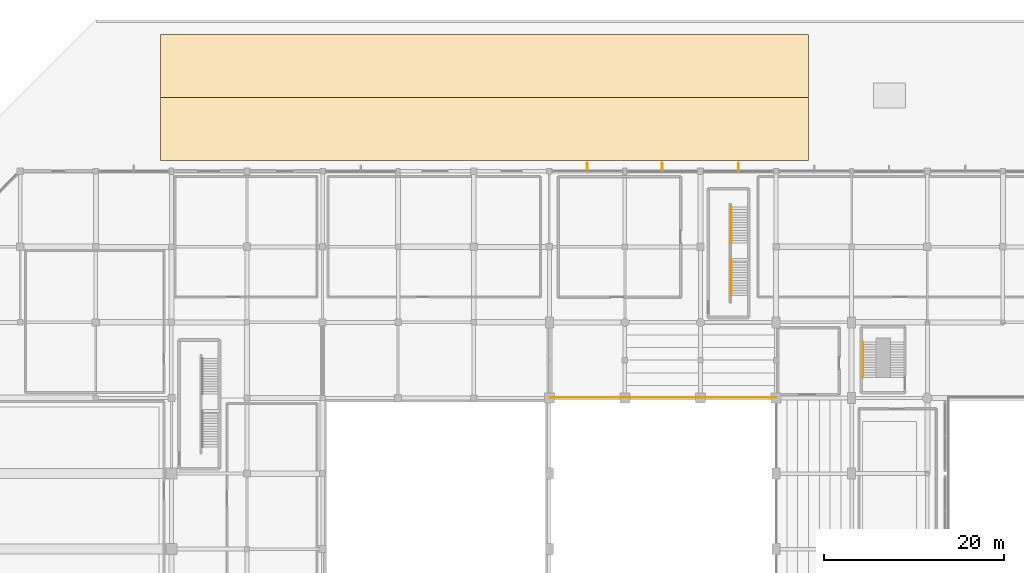
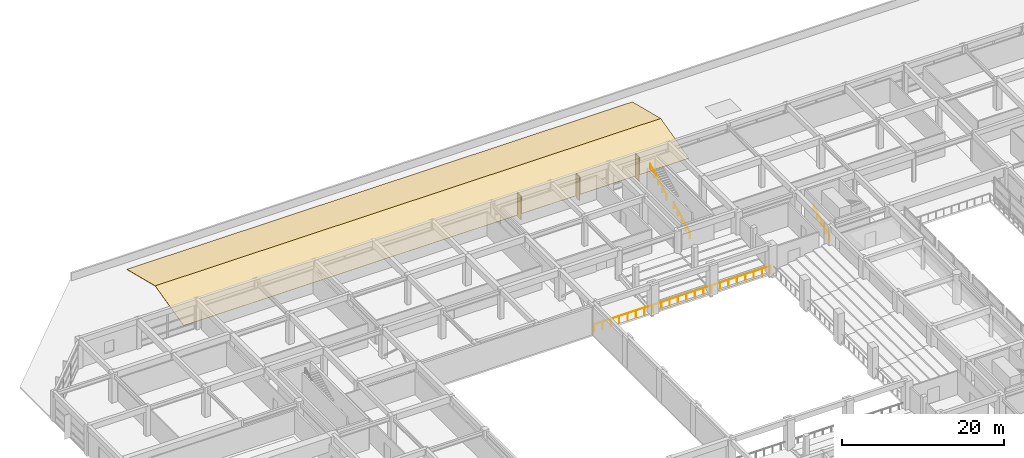
# One storey, part 57 of 60: 4 railings, 3 shading devices, 2 coverings.
"""IFC4 building model written with IfcOpenShell, lengths in metres."""

from ifc_helpers import new_model, si_unit, direction, frame, origin, origin_2d, place, context, subcontext, project, spatial, polyline, rectangle, circle, outline, extrude, material, layer, layer_set, type_object, element, save


model = new_model("IFC4")

# Units and contexts
model_context = context("Model", 3, precision=1e-05, world=origin(), true_north=direction((0.0, 1.0)))
body_context = subcontext(model_context, "Body", "Model", "MODEL_VIEW")
ifc_project = project(units=[si_unit("LENGTHUNIT", "METRE"), si_unit("AREAUNIT", "SQUARE_METRE"), si_unit("VOLUMEUNIT", "CUBIC_METRE"), si_unit("PLANEANGLEUNIT", "RADIAN"), si_unit("MASSUNIT", "GRAM", prefix="KILO")], contexts=[model_context])

# Site, building, storey
site_placement = place(None, origin())
site = spatial("IfcSite", under=ifc_project, at=site_placement, CompositionType="ELEMENT")
building_placement = place(site_placement, origin())
building = spatial("IfcBuilding", under=site, at=building_placement, Name="Xuanlan Plaza Opera House", CompositionType="ELEMENT")
storey_placement = place(building_placement, frame((0.0, 0.0, 9.89990234375)))
storey = spatial("IfcBuildingStorey", under=building, at=storey_placement, Name="L02", CompositionType="ELEMENT", Elevation=9.89990234375)

# Coverings
ifc_material_1 = material(Name="Anodised Aluminium 6063-T6", Category="aluminium")
ifc_layer = layer(ifc_material_1, 0.06005859375)
ifc_layer_set = layer_set([ifc_layer], Name="Anodised Aluminium 6063-T6")
covering_type = type_object("IfcCoveringType", Name="ENV-COV-RF01", PredefinedType="ROOFING", material=ifc_layer_set)
for number, where, z_axis, x_axis, name in (
    (1, (24.0, 102.0, 0.06005859375), (0.0, -0.242535625036, 0.970142500145), (1.0, 0.0, 0.0), "Acoustic Standing-Seam Folded Roof Facet COV-RF-PODN-1"),
    (2, (24.0, 109.0, 1.81005859375), (0.0, 0.242535625036, 0.970142500145), (1.0, 0.0, 0.0), "Acoustic Standing-Seam Folded Roof Facet COV-RF-PODN-2"),
):
    element("IfcCovering", number, at=place(storey_placement, frame(where, z_axis=z_axis, x_axis=x_axis)), inside=storey, type_object=covering_type, Name=name, PredefinedType="ROOFING", context=body_context, shape_type="SweptSolid", body=[
        extrude(outline(polyline([(0.0, 0.0), (72.0, 0.0), (72.0, 7.215434845), (0.0, 7.215434845), (0.0, 0.0)])), origin(), (0.0, 0.0, -1.0), 0.06005859375),
    ])

# Shading devices
shading_device_type = type_object("IfcShadingDeviceType", Name="ENV-SHD-BRS02", PredefinedType="JALOUSIE", material=ifc_material_1)
for number, where, z_axis, x_axis, name in (
    (3, (88.22509765625, 101.264892578125, 0.0400390625), (0.0, 0.0, 1.0), (0.0, 1.0, 0.0), "Parametric Sunshade Fin L02-0135"),
    (4, (79.75, 101.264892578125, 0.0400390625), (0.0, 0.0, 1.0), (0.0, 1.0, 0.0), "Parametric Sunshade Fin L02-0136"),
    (5, (71.425048828125, 101.264892578125, 0.0400390625), (0.0, 0.0, 1.0), (0.0, 1.0, 0.0), "Parametric Sunshade Fin L02-0137"),
):
    element("IfcShadingDevice", number, at=place(storey_placement, frame(where, z_axis=z_axis, x_axis=x_axis)), inside=storey, type_object=shading_device_type, Name=name, PredefinedType="JALOUSIE", context=body_context, shape_type="SweptSolid", body=[
        extrude(rectangle(XDim=0.919921875, YDim=0.080078125, at=origin_2d()), origin(), (0.0, 0.0, 1.0), 3.60009765625),
    ])

# Railings
ifc_material_2 = material(Name="Stainless Steel S30408 and Laminated Glass", Category="steel")
railing_type_1 = type_object("IfcRailingType", Name="INT-RL-GR03", PredefinedType="GUARDRAIL", material=ifc_material_2)
railing_1_placement = place(storey_placement, frame((67.25, 75.64990234375, 0.0)))
element("IfcRailing", 6, at=railing_1_placement, inside=storey, type_object=railing_type_1, Name="Auditorium Bowl Side Guardrail L02 N", PredefinedType="GUARDRAIL", context=body_context, shape_type="SweptSolid", body=[
    extrude(circle(Radius=0.02392578125, at=origin_2d()), frame((0.0, 0.0, 1.09619140625), z_axis=(1.0, 0.0, 0.0), x_axis=(0.0, 1.0, 0.0)), (0.0, 0.0, 1.0), 25.14990234375),
    extrude(circle(Radius=0.02099609375, at=origin_2d()), origin(), (0.0, 0.0, 1.0), 1.072021484375),
    extrude(circle(Radius=0.02099609375, at=origin_2d()), frame((1.197509765625, 0.0, 0.0)), (0.0, 0.0, 1.0), 1.072021484375),
    extrude(circle(Radius=0.02099609375, at=origin_2d()), frame((2.395263671875, 0.0, 0.0)), (0.0, 0.0, 1.0), 1.072021484375),
    extrude(circle(Radius=0.02099609375, at=origin_2d()), frame((3.5927734375, 0.0, 0.0)), (0.0, 0.0, 1.0), 1.072021484375),
    extrude(circle(Radius=0.02099609375, at=origin_2d()), frame((4.79052734375, 0.0, 0.0)), (0.0, 0.0, 1.0), 1.072021484375),
    extrude(circle(Radius=0.02099609375, at=origin_2d()), frame((5.988037109375, 0.0, 0.0)), (0.0, 0.0, 1.0), 1.072021484375),
    extrude(circle(Radius=0.02099609375, at=origin_2d()), frame((7.185791015625, 0.0, 0.0)), (0.0, 0.0, 1.0), 1.072021484375),
    extrude(circle(Radius=0.02099609375, at=origin_2d()), frame((8.38330078125, 0.0, 0.0)), (0.0, 0.0, 1.0), 1.072021484375),
    extrude(circle(Radius=0.02099609375, at=origin_2d()), frame((9.580810546875, 0.0, 0.0)), (0.0, 0.0, 1.0), 1.072021484375),
    extrude(circle(Radius=0.02099609375, at=origin_2d()), frame((10.778564453125, 0.0, 0.0)), (0.0, 0.0, 1.0), 1.072021484375),
    extrude(circle(Radius=0.02099609375, at=origin_2d()), frame((11.97607421875, 0.0, 0.0)), (0.0, 0.0, 1.0), 1.072021484375),
    extrude(circle(Radius=0.02099609375, at=origin_2d()), frame((13.173828125, 0.0, 0.0)), (0.0, 0.0, 1.0), 1.072021484375),
    extrude(circle(Radius=0.02099609375, at=origin_2d()), frame((14.371337890625, 0.0, 0.0)), (0.0, 0.0, 1.0), 1.072021484375),
    extrude(circle(Radius=0.02099609375, at=origin_2d()), frame((15.569091796875, 0.0, 0.0)), (0.0, 0.0, 1.0), 1.072021484375),
    extrude(circle(Radius=0.02099609375, at=origin_2d()), frame((16.7666015625, 0.0, 0.0)), (0.0, 0.0, 1.0), 1.072021484375),
    extrude(circle(Radius=0.02099609375, at=origin_2d()), frame((17.964111328125, 0.0, 0.0)), (0.0, 0.0, 1.0), 1.072021484375),
    extrude(circle(Radius=0.02099609375, at=origin_2d()), frame((19.161865234375, 0.0, 0.0)), (0.0, 0.0, 1.0), 1.072021484375),
    extrude(circle(Radius=0.02099609375, at=origin_2d()), frame((20.359375, 0.0, 0.0)), (0.0, 0.0, 1.0), 1.072021484375),
    extrude(circle(Radius=0.02099609375, at=origin_2d()), frame((21.55712890625, 0.0, 0.0)), (0.0, 0.0, 1.0), 1.072021484375),
    extrude(circle(Radius=0.02099609375, at=origin_2d()), frame((22.754638671875, 0.0, 0.0)), (0.0, 0.0, 1.0), 1.072021484375),
    extrude(circle(Radius=0.02099609375, at=origin_2d()), frame((23.952392578125, 0.0, 0.0)), (0.0, 0.0, 1.0), 1.072021484375),
    extrude(circle(Radius=0.02099609375, at=origin_2d()), frame((25.14990234375, 0.0, 0.0)), (0.0, 0.0, 1.0), 1.072021484375),
])
ifc_material_3 = material(Name="Stainless Steel S30408", Category="steel")
railing_type_2 = type_object("IfcRailingType", Name="INT-RL-HR01", PredefinedType="HANDRAIL", material=ifc_material_3)
for number, where, name in (
    (7, (87.4599609375, 86.969970703125, 0.150146484375), "Stair Handrail ST-P4 L02 Flight 1"),
    (8, (87.4599609375, 92.81005859375, 2.400146484375), "Stair Handrail ST-P4 L02 Flight 2"),
):
    element("IfcRailing", number, at=place(storey_placement, frame(where)), inside=storey, type_object=railing_type_2, Name=name, PredefinedType="HANDRAIL", context=body_context, shape_type="SweptSolid", body=[
        extrude(circle(Radius=0.02392578125, at=origin_2d()), frame((0.0, 0.0, 0.8759765625), z_axis=(0.0, 0.884931142248, 0.465721884261), x_axis=(-1.0, 0.0, 0.0)), (0.0, 0.0, 1.0), 4.5087890625),
        extrude(circle(Radius=0.02099609375, at=origin_2d()), origin(), (0.0, 0.0, 1.0), 0.851806640625),
        extrude(circle(Radius=0.02099609375, at=origin_2d()), frame((0.0, 0.99755859375, 0.52490234375)), (0.0, 0.0, 1.0), 0.851806640625),
        extrude(circle(Radius=0.02099609375, at=origin_2d()), frame((0.0, 1.9951171875, 1.0498046875)), (0.0, 0.0, 1.0), 0.851806640625),
        extrude(circle(Radius=0.02099609375, at=origin_2d()), frame((0.0, 2.992431640625, 1.574951171875)), (0.0, 0.0, 1.0), 0.851806640625),
        extrude(circle(Radius=0.02099609375, at=origin_2d()), frame((0.0, 3.989990234375, 2.099853515625)), (0.0, 0.0, 1.0), 0.851806640625),
    ])
railing_type_3 = type_object("IfcRailingType", Name="INT-RL-HR02", PredefinedType="HANDRAIL", material=ifc_material_3)
railing_2_placement = place(storey_placement, frame((102.080078125, 77.8798828125, 0.150146484375)))
element("IfcRailing", 9, at=railing_2_placement, inside=storey, type_object=railing_type_3, Name="Feature Stair Handrail ST-F2 L02 Flight 1", PredefinedType="HANDRAIL", context=body_context, shape_type="SweptSolid", body=[
    extrude(circle(Radius=0.02392578125, at=origin_2d()), frame((0.0, 0.0, 0.89599609375), z_axis=(0.0, 0.881502004561, 0.472180279083), x_axis=(-1.0, 0.0, 0.0)), (0.0, 0.0, 1.0), 4.447265625),
    extrude(circle(Radius=0.02099609375, at=origin_2d()), origin(), (0.0, 0.0, 1.0), 0.871826171875),
    extrude(circle(Radius=0.02099609375, at=origin_2d()), frame((0.0, 0.97998046875, 0.52490234375)), (0.0, 0.0, 1.0), 0.871826171875),
    extrude(circle(Radius=0.02099609375, at=origin_2d()), frame((0.0, 1.9599609375, 1.0498046875)), (0.0, 0.0, 1.0), 0.871826171875),
    extrude(circle(Radius=0.02099609375, at=origin_2d()), frame((0.0, 2.940185546875, 1.574951171875)), (0.0, 0.0, 1.0), 0.871826171875),
    extrude(circle(Radius=0.02099609375, at=origin_2d()), frame((0.0, 3.920166015625, 2.099853515625)), (0.0, 0.0, 1.0), 0.871826171875),
])

save(model, "model.ifc")
